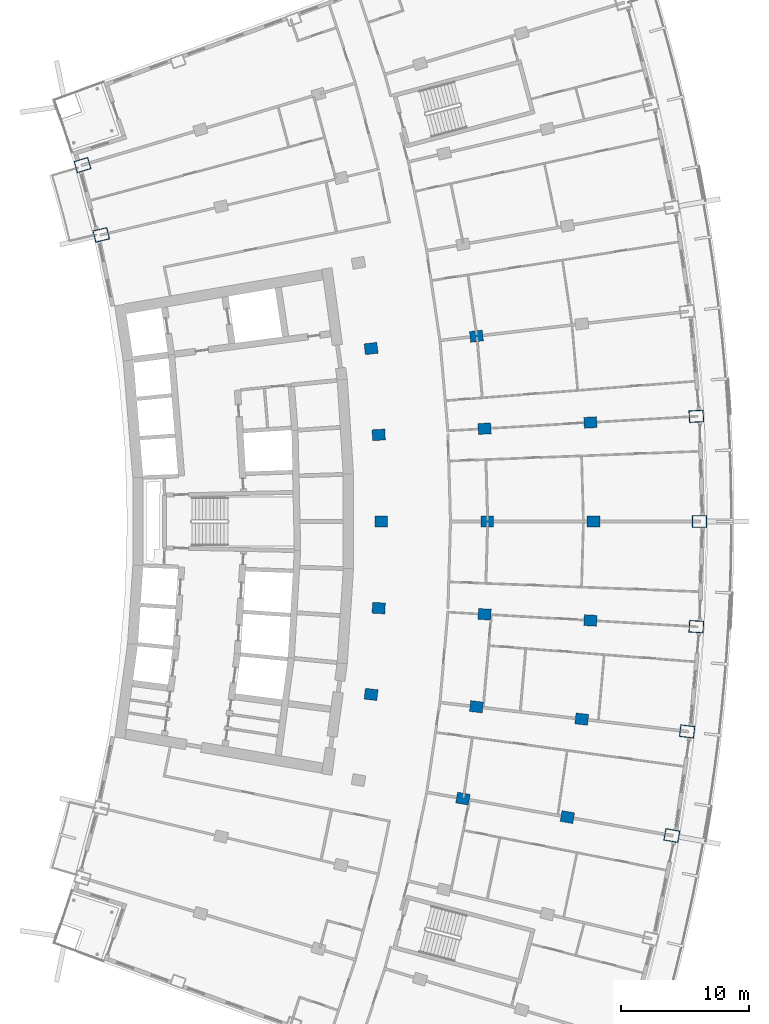
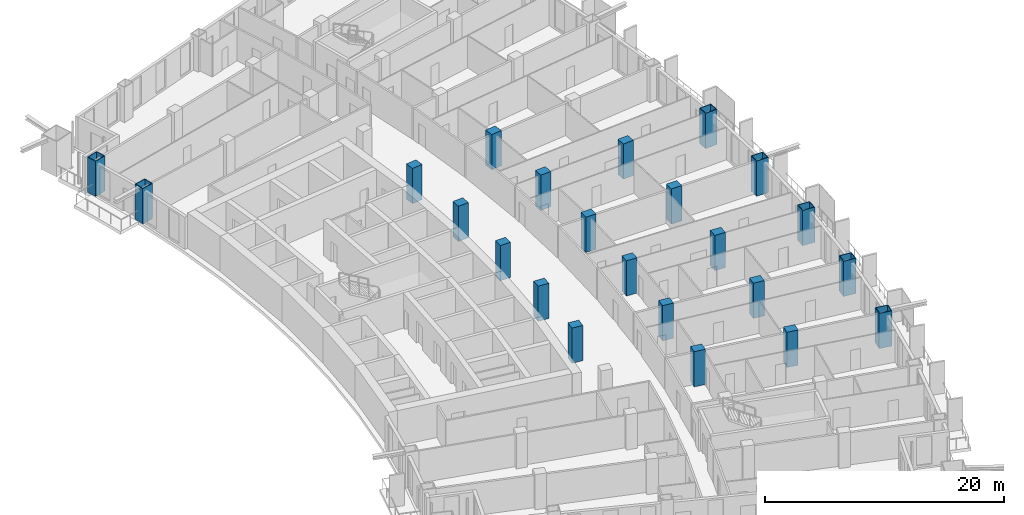
# One storey, part 6 of 25: 23 columns.
"""IFC4 building model written with IfcOpenShell, lengths in metres."""

from ifc_helpers import new_model, si_unit, direction, frame, origin, origin_2d, place, context, subcontext, project, spatial, rectangle, hollow_rectangle, extrude, material, material_profile, profile_set, type_object, element, save


model = new_model("IFC4")

# Units and contexts
model_context = context("Model", 3, precision=1e-05, world=origin(), true_north=direction((0.0, 1.0)))
body_context = subcontext(model_context, "Body", "Model", "MODEL_VIEW")
ifc_project = project(units=[si_unit("LENGTHUNIT", "METRE"), si_unit("AREAUNIT", "SQUARE_METRE"), si_unit("VOLUMEUNIT", "CUBIC_METRE"), si_unit("PLANEANGLEUNIT", "RADIAN"), si_unit("MASSUNIT", "GRAM", prefix="KILO")], contexts=[model_context])

# Site, building, storey
site_placement = place(None, origin())
site = spatial("IfcSite", under=ifc_project, at=site_placement, CompositionType="ELEMENT")
building_placement = place(site_placement, origin())
building = spatial("IfcBuilding", under=site, at=building_placement, Name="Alderwake Tower", CompositionType="ELEMENT")
storey_placement = place(building_placement, frame((0.0, 0.0, 122.0)))
storey = spatial("IfcBuildingStorey", under=building, at=storey_placement, Name="L30", CompositionType="ELEMENT", Elevation=122.0)

# Columns
ifc_material_1 = material(Name="Concrete C70/85", Category="concrete")
ifc_material_profile_1 = material_profile(ifc_material_1, rectangle(XDim=0.85009765625, YDim=1.0, at=origin_2d()), Name="RC 1000X850")
ifc_profile_set_1 = profile_set([ifc_material_profile_1], Name="Concrete C70/85")
column_type_1 = type_object("IfcColumnType", Name="Interior column Z2", PredefinedType="COLUMN", material=ifc_profile_set_1)
for number, where, z_axis, x_axis, name in (
    (1, (42.171875, 39.39892578125, 0.0), (0.0, 0.0, 1.0), (0.174107082075, 0.984726725529, 0.0), "Column R04-C3"),
    (2, (50.31201171875, 37.959716796875, 0.0), (0.0, 0.0, 1.0), (0.174108800747, 0.984726421654, 0.0), "Column R04-C4"),
    (3, (35.0126953125, 47.5205078125, 0.0), (0.0, 0.0, 1.0), (0.116402054316, 0.993202175668, 0.0), "Column R05-C2"),
    (4, (43.223388671875, 46.558349609375, 0.0), (0.0, 0.0, 1.0), (0.116402054316, 0.993202175668, 0.0), "Column R05-C3"),
    (5, (51.43359375, 45.59619140625, 0.0), (0.0, 0.0, 1.0), (0.116402054316, 0.993202175668, 0.0), "Column R05-C4"),
    (6, (35.60302734375, 54.248779296875, 0.0), (0.0, 0.0, 1.0), (0.058301061284, 0.998299046505, 0.0), "Column R06-C2"),
    (7, (43.855712890625, 53.766845703125, 0.0), (0.0, 0.0, 1.0), (0.058299318924, 0.998299148258, 0.0), "Column R06-C3"),
    (8, (52.108154296875, 53.284912109375, 0.0), (0.0, 0.0, 1.0), (0.058301061284, 0.998299046505, 0.0), "Column R06-C4"),
    (9, (35.800048828125, 61.0, 0.0), (0.0, 0.0, 1.0), (0.0, 1.0, 0.0), "Column R07-C2"),
    (10, (44.066650390625, 61.0, 0.0), (0.0, 0.0, 1.0), (0.0, 1.0, 0.0), "Column R07-C3"),
    (11, (52.333251953125, 61.0, 0.0), (0.0, 0.0, 1.0), (0.0, 1.0, 0.0), "Column R07-C4"),
    (12, (35.60302734375, 67.751220703125, 0.0), (0.0, 0.0, 1.0), (-0.058301061284, 0.998299046505, 0.0), "Column R08-C2"),
    (13, (43.855712890625, 68.233154296875, 0.0), (0.0, 0.0, 1.0), (-0.058299318924, 0.998299148258, 0.0), "Column R08-C3"),
    (14, (52.108154296875, 68.715087890625, 0.0), (0.0, 0.0, 1.0), (-0.058301061284, 0.998299046505, 0.0), "Column R08-C4"),
    (15, (35.0126953125, 74.4794921875, 0.0), (0.0, 0.0, 1.0), (-0.116402054316, 0.993202175668, 0.0), "Column R09-C2"),
    (16, (43.223388671875, 75.441650390625, 0.0), (0.0, 0.0, 1.0), (-0.116402054316, 0.993202175668, 0.0), "Column R09-C3"),
):
    element("IfcColumn", number, at=place(storey_placement, frame(where, z_axis=z_axis, x_axis=x_axis)), inside=storey, type_object=column_type_1, Name=name, PredefinedType="COLUMN", context=body_context, shape_type="SweptSolid", body=[
        extrude(rectangle(XDim=0.85009765625, YDim=1.0, at=origin_2d()), origin(), (0.0, 0.0, 1.0), 3.60009765625),
    ])
ifc_material_2 = material(Name="Steel ASTM A572 Grade 50 concrete filled C70/85", Category="concrete")
ifc_material_profile_2 = material_profile(ifc_material_2, hollow_rectangle(XDim=0.949951171875, YDim=1.14990234375, WallThickness=0.06005859375, at=origin_2d()), Name="BOX 1150X950X60")
ifc_profile_set_2 = profile_set([ifc_material_profile_2], Name="Steel ASTM A572 Grade 50 concrete filled C70/85")
column_type_2 = type_object("IfcColumnType", Name="Perimeter column Z2", PredefinedType="COLUMN", material=ifc_profile_set_2)
for number, where, z_axis, x_axis, name in (
    (17, (58.45263671875, 36.5205078125, 0.0), (0.0, 0.0, 1.0), (0.174108800747, 0.984726421654, 0.0), "Column R04-C5"),
    (18, (59.644287109375, 44.6337890625, 0.0), (0.0, 0.0, 1.0), (0.116402054316, 0.993202175668, 0.0), "Column R05-C5"),
    (19, (60.36083984375, 52.802978515625, 0.0), (0.0, 0.0, 1.0), (0.058299318924, 0.998299148258, 0.0), "Column R06-C5"),
    (20, (60.60009765625, 61.0, 0.0), (0.0, 0.0, 1.0), (0.0, 1.0, 0.0), "Column R07-C5"),
    (21, (60.36083984375, 69.197021484375, 0.0), (0.0, 0.0, 1.0), (-0.058299318924, 0.998299148258, 0.0), "Column R08-C5"),
    (22, (13.982177734375, 83.3359375, 0.0), (0.0, 0.0, 1.0), (-0.231221547198, 0.972901123502, 0.0), "Column R11-C0"),
    (23, (12.520263671875, 88.777099609375, 0.0), (0.0, 0.0, 1.0), (-0.287549418125, 0.957765802342, 0.0), "Column R12-C0"),
):
    element("IfcColumn", number, at=place(storey_placement, frame(where, z_axis=z_axis, x_axis=x_axis)), inside=storey, type_object=column_type_2, Name=name, PredefinedType="COLUMN", context=body_context, shape_type="SweptSolid", body=[
        extrude(hollow_rectangle(XDim=0.949951171875, YDim=1.14990234375, WallThickness=0.06005859375, at=origin_2d()), origin(), (0.0, 0.0, 1.0), 3.60009765625),
    ])

save(model, "model.ifc")
